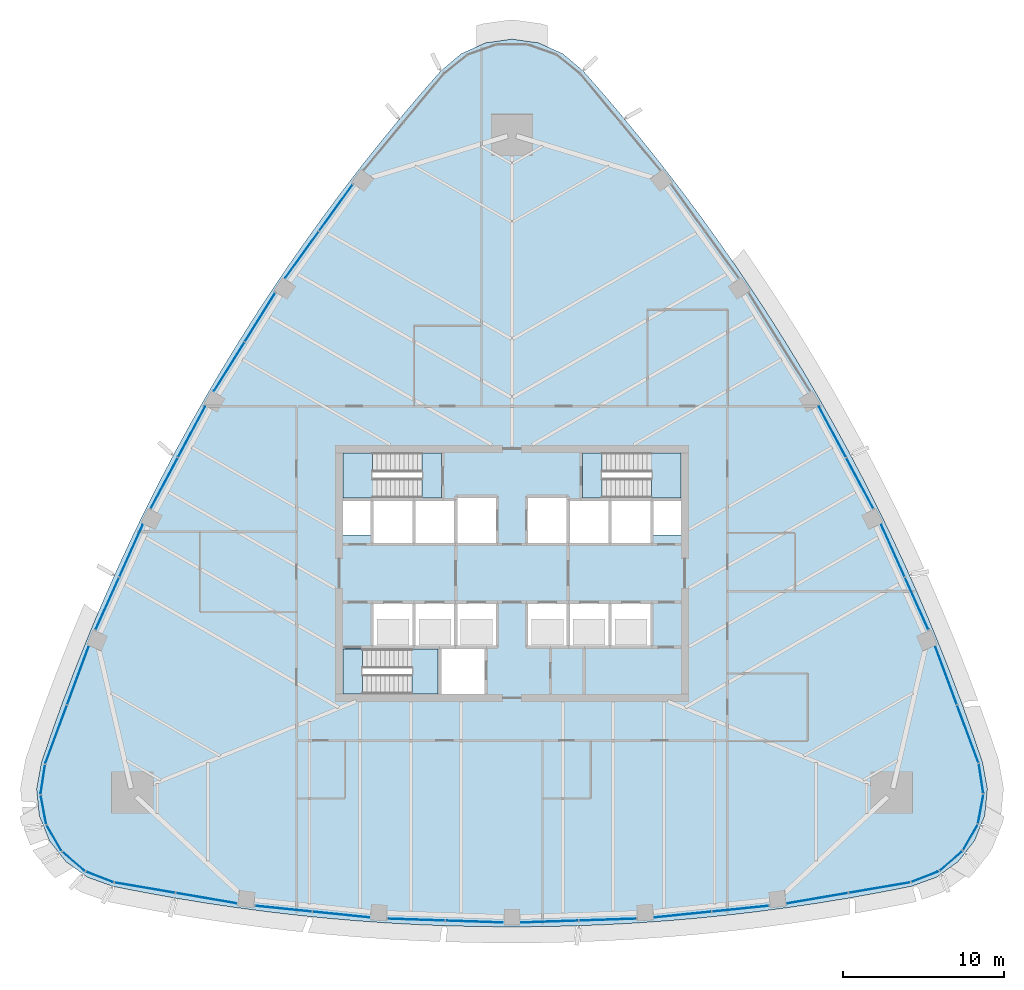
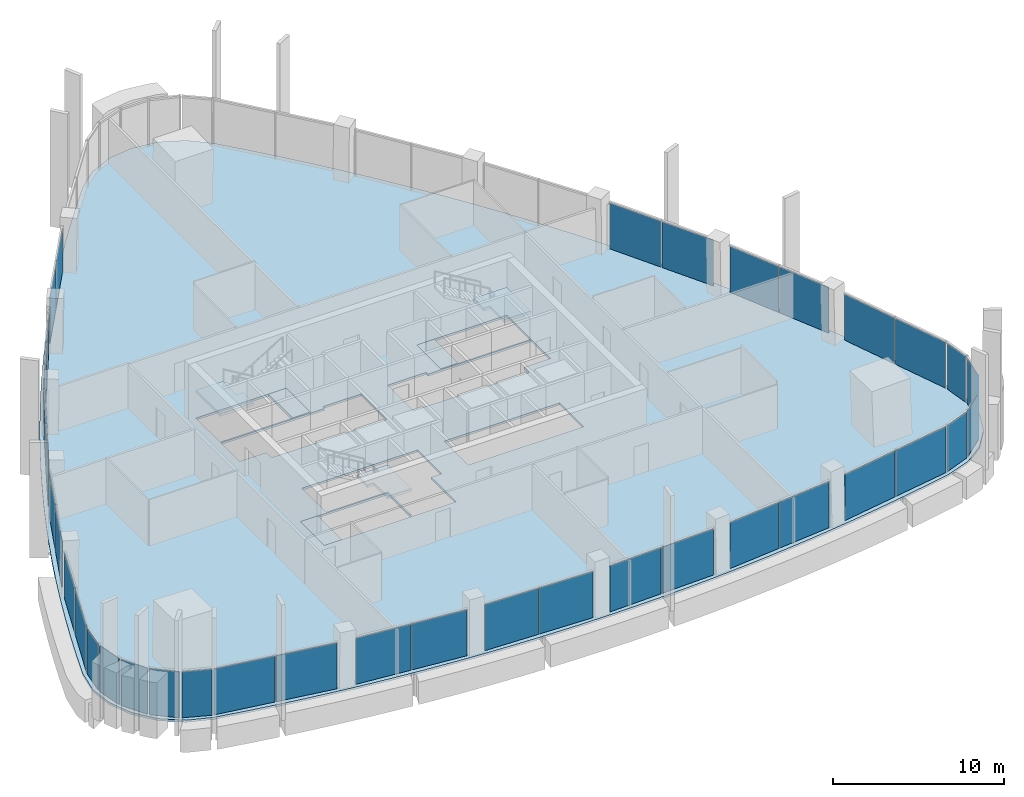
# One storey, part 8 of 19: 38 plates, 7 slabs, 27 elements without a shape of their own.
"""IFC4 building model written with IfcOpenShell, lengths in metres."""

from ifc_helpers import new_model, si_unit, direction, frame, origin, origin_2d, place, context, subcontext, project, spatial, polyline, rectangle, outline, extrude, material, layer, layer_set, type_object, element, aggregate, save


model = new_model("IFC4")

# Units and contexts
model_context = context("Model", 3, precision=1e-05, world=origin(), true_north=direction((0.0, 1.0)))
body_context = subcontext(model_context, "Body", "Model", "MODEL_VIEW")
ifc_project = project(units=[si_unit("LENGTHUNIT", "METRE"), si_unit("AREAUNIT", "SQUARE_METRE"), si_unit("VOLUMEUNIT", "CUBIC_METRE"), si_unit("PLANEANGLEUNIT", "RADIAN"), si_unit("MASSUNIT", "GRAM", prefix="KILO")], contexts=[model_context])

# Site, building, storey
site_placement = place(None, origin())
site = spatial("IfcSite", under=ifc_project, at=site_placement, CompositionType="ELEMENT")
building_placement = place(site_placement, origin())
building = spatial("IfcBuilding", under=site, at=building_placement, Name="Sierra Prisma Convention Tower", CompositionType="ELEMENT")
storey_placement = place(building_placement, frame((0.0, 0.0, 177.800048828125)))
storey = spatial("IfcBuildingStorey", under=building, at=storey_placement, Name="L39", CompositionType="ELEMENT", Elevation=177.800048828125)

# Curtain wall, plates
ifc_material_1 = material(Name="Aluminium and glass curtain wall", Category="aluminium")
ifc_layer_1 = layer(ifc_material_1, 0.179931640625)
ifc_layer_set_1 = layer_set([ifc_layer_1], Name="CW-1 Plain shaft curtain wall")
curtain_wall_type = type_object("IfcCurtainWallType", Name="CW-1 Plain shaft curtain wall", PredefinedType="NOTDEFINED", material=ifc_layer_set_1)
curtain_wall_1_placement = place(storey_placement, origin())
curtain_wall_1 = element("IfcCurtainWall", 1, at=curtain_wall_1_placement, inside=storey, type_object=curtain_wall_type, Name="CW-1 S1 L39", PredefinedType="NOTDEFINED")
ifc_material_2 = material(Name="Tinted glass bronze-grey IGU", Category="glass")
ifc_layer_2 = layer(ifc_material_2, 0.028076171875)
ifc_layer_set_2 = layer_set([ifc_layer_2], Name="CW-1 glass panel")
plate_type = type_object("IfcPlateType", Name="CW-1 glass panel", PredefinedType="CURTAIN_PANEL", material=ifc_layer_set_2)
plate_1_placement = place(storey_placement, frame((-22.83740234375, -19.553466796875, 0.0), z_axis=(0.0, 0.0, 1.0), x_axis=(0.985776762194, -0.16806003427, 0.0)))
plate_1 = element("IfcPlate", 2, at=plate_1_placement, type_object=plate_type, Name="CW-1 panel S1.1", PredefinedType="CURTAIN_PANEL", context=body_context, shape_type="SweptSolid", body=[
    extrude(rectangle(XDim=3.802734375, YDim=0.028076171875, at=origin_2d()), origin(), (0.0, 0.0, 1.0), 3.280029296875),
])
plate_2_placement = place(storey_placement, frame((-19.019775390625, -20.204345703125, 0.0), z_axis=(0.0, 0.0, 1.0), x_axis=(0.985776762194, -0.16806003427, 0.0)))
plate_2 = element("IfcPlate", 3, at=plate_2_placement, type_object=plate_type, Name="CW-1 panel S1.2", PredefinedType="CURTAIN_PANEL", context=body_context, shape_type="SweptSolid", body=[
    extrude(rectangle(XDim=3.802734375, YDim=0.028076171875, at=origin_2d()), origin(), (0.0, 0.0, 1.0), 3.280029296875),
])
aggregate(curtain_wall_1, [plate_1, plate_2])

curtain_wall_2_placement = place(storey_placement, origin())
curtain_wall_2 = element("IfcCurtainWall", 4, at=curtain_wall_2_placement, inside=storey, type_object=curtain_wall_type, Name="CW-1 S2 L39", PredefinedType="NOTDEFINED")
plate_3_placement = place(storey_placement, frame((-14.216064453125, -20.8603515625, 0.0), z_axis=(0.0, 0.0, 1.0), x_axis=(0.994871839121, -0.101143579749, 0.0)))
plate_3 = element("IfcPlate", 5, at=plate_3_placement, type_object=plate_type, Name="CW-1 panel S2.1", PredefinedType="CURTAIN_PANEL", context=body_context, shape_type="SweptSolid", body=[
    extrude(rectangle(XDim=3.530517578125, YDim=0.028076171875, at=origin_2d()), origin(), (0.0, 0.0, 1.0), 3.280029296875),
])
plate_4_placement = place(storey_placement, frame((-10.634033203125, -21.224365234375, 0.0), z_axis=(0.0, 0.0, 1.0), x_axis=(0.994871839121, -0.101143579749, 0.0)))
plate_4 = element("IfcPlate", 6, at=plate_4_placement, type_object=plate_type, Name="CW-1 panel S2.2", PredefinedType="CURTAIN_PANEL", context=body_context, shape_type="SweptSolid", body=[
    extrude(rectangle(XDim=3.530517578125, YDim=0.028076171875, at=origin_2d()), origin(), (0.0, 0.0, 1.0), 3.280029296875),
])
aggregate(curtain_wall_2, [plate_3, plate_4])

curtain_wall_3_placement = place(storey_placement, origin())
curtain_wall_3 = element("IfcCurtainWall", 7, at=curtain_wall_3_placement, inside=storey, type_object=curtain_wall_type, Name="CW-1 S3 L39", PredefinedType="NOTDEFINED")
plate_5_placement = place(storey_placement, frame((-5.956298828125, -21.540283203125, 0.0), z_axis=(0.0, 0.0, 1.0), x_axis=(0.999429770881, -0.033765856682, 0.0)))
plate_5 = element("IfcPlate", 8, at=plate_5_placement, type_object=plate_type, Name="CW-1 panel S3.1", PredefinedType="CURTAIN_PANEL", context=body_context, shape_type="SweptSolid", body=[
    extrude(rectangle(XDim=3.54638671875, YDim=0.028076171875, at=origin_2d()), origin(), (0.0, 0.0, 1.0), 3.280029296875),
])
plate_6_placement = place(storey_placement, frame((-2.341796875, -21.662353515625, 0.0), z_axis=(0.0, 0.0, 1.0), x_axis=(0.999429770881, -0.033765856682, 0.0)))
plate_6 = element("IfcPlate", 9, at=plate_6_placement, type_object=plate_type, Name="CW-1 panel S3.2", PredefinedType="CURTAIN_PANEL", context=body_context, shape_type="SweptSolid", body=[
    extrude(rectangle(XDim=3.54638671875, YDim=0.028076171875, at=origin_2d()), origin(), (0.0, 0.0, 1.0), 3.280029296875),
])
aggregate(curtain_wall_3, [plate_5, plate_6])

curtain_wall_4_placement = place(storey_placement, origin())
curtain_wall_4 = element("IfcCurtainWall", 10, at=curtain_wall_4_placement, inside=storey, type_object=curtain_wall_type, Name="CW-1 S4 L39", PredefinedType="NOTDEFINED")
plate_7_placement = place(storey_placement, frame((2.341796875, -21.662353515625, 0.0), z_axis=(0.0, 0.0, 1.0), x_axis=(0.999429770881, 0.033765856682, 0.0)))
plate_7 = element("IfcPlate", 11, at=plate_7_placement, type_object=plate_type, Name="CW-1 panel S4.1", PredefinedType="CURTAIN_PANEL", context=body_context, shape_type="SweptSolid", body=[
    extrude(rectangle(XDim=3.54638671875, YDim=0.028076171875, at=origin_2d()), origin(), (0.0, 0.0, 1.0), 3.280029296875),
])
plate_8_placement = place(storey_placement, frame((5.956298828125, -21.540283203125, 0.0), z_axis=(0.0, 0.0, 1.0), x_axis=(0.999429770881, 0.033765856682, 0.0)))
plate_8 = element("IfcPlate", 12, at=plate_8_placement, type_object=plate_type, Name="CW-1 panel S4.2", PredefinedType="CURTAIN_PANEL", context=body_context, shape_type="SweptSolid", body=[
    extrude(rectangle(XDim=3.54638671875, YDim=0.028076171875, at=origin_2d()), origin(), (0.0, 0.0, 1.0), 3.280029296875),
])
aggregate(curtain_wall_4, [plate_7, plate_8])

curtain_wall_5_placement = place(storey_placement, origin())
curtain_wall_5 = element("IfcCurtainWall", 13, at=curtain_wall_5_placement, inside=storey, type_object=curtain_wall_type, Name="CW-1 S5 L39", PredefinedType="NOTDEFINED")
plate_9_placement = place(storey_placement, frame((10.634033203125, -21.224365234375, 0.0), z_axis=(0.0, 0.0, 1.0), x_axis=(0.994871839121, 0.101143579749, 0.0)))
plate_9 = element("IfcPlate", 14, at=plate_9_placement, type_object=plate_type, Name="CW-1 panel S5.1", PredefinedType="CURTAIN_PANEL", context=body_context, shape_type="SweptSolid", body=[
    extrude(rectangle(XDim=3.530517578125, YDim=0.028076171875, at=origin_2d()), origin(), (0.0, 0.0, 1.0), 3.280029296875),
])
plate_10_placement = place(storey_placement, frame((14.216064453125, -20.8603515625, 0.0), z_axis=(0.0, 0.0, 1.0), x_axis=(0.994871839121, 0.101143579749, 0.0)))
plate_10 = element("IfcPlate", 15, at=plate_10_placement, type_object=plate_type, Name="CW-1 panel S5.2", PredefinedType="CURTAIN_PANEL", context=body_context, shape_type="SweptSolid", body=[
    extrude(rectangle(XDim=3.530517578125, YDim=0.028076171875, at=origin_2d()), origin(), (0.0, 0.0, 1.0), 3.280029296875),
])
aggregate(curtain_wall_5, [plate_9, plate_10])

curtain_wall_6_placement = place(storey_placement, origin())
curtain_wall_6 = element("IfcCurtainWall", 16, at=curtain_wall_6_placement, inside=storey, type_object=curtain_wall_type, Name="CW-1 S6 L39", PredefinedType="NOTDEFINED")
plate_11_placement = place(storey_placement, frame((19.019775390625, -20.204345703125, 0.0), z_axis=(0.0, 0.0, 1.0), x_axis=(0.985776762194, 0.16806003427, 0.0)))
plate_11 = element("IfcPlate", 17, at=plate_11_placement, type_object=plate_type, Name="CW-1 panel S6.1", PredefinedType="CURTAIN_PANEL", context=body_context, shape_type="SweptSolid", body=[
    extrude(rectangle(XDim=3.802734375, YDim=0.028076171875, at=origin_2d()), origin(), (0.0, 0.0, 1.0), 3.280029296875),
])
plate_12_placement = place(storey_placement, frame((22.83740234375, -19.553466796875, 0.0), z_axis=(0.0, 0.0, 1.0), x_axis=(0.985776762194, 0.16806003427, 0.0)))
plate_12 = element("IfcPlate", 18, at=plate_12_placement, type_object=plate_type, Name="CW-1 panel S6.2", PredefinedType="CURTAIN_PANEL", context=body_context, shape_type="SweptSolid", body=[
    extrude(rectangle(XDim=3.802734375, YDim=0.028076171875, at=origin_2d()), origin(), (0.0, 0.0, 1.0), 3.280029296875),
])
aggregate(curtain_wall_6, [plate_11, plate_12])

# Curtain wall, plate
curtain_wall_7_placement = place(storey_placement, origin())
curtain_wall_7 = element("IfcCurtainWall", 19, at=curtain_wall_7_placement, inside=storey, type_object=curtain_wall_type, Name="CW-1 SE1 L39", PredefinedType="NOTDEFINED")
plate_13_placement = place(storey_placement, frame((25.67236328125, -18.874755859375, 0.0), z_axis=(0.0, 0.0, 1.0), x_axis=(0.931767015829, 0.36305678373, 0.0)))
plate_13 = element("IfcPlate", 20, at=plate_13_placement, type_object=plate_type, Name="CW-1 panel SE1.1", PredefinedType="CURTAIN_PANEL", context=body_context, shape_type="SweptSolid", body=[
    extrude(rectangle(XDim=1.774169921875, YDim=0.028076171875, at=origin_2d()), origin(), (0.0, 0.0, 1.0), 3.280029296875),
])
aggregate(curtain_wall_7, [plate_13])

curtain_wall_8_placement = place(storey_placement, origin())
curtain_wall_8 = element("IfcCurtainWall", 21, at=curtain_wall_8_placement, inside=storey, type_object=curtain_wall_type, Name="CW-1 SE2 L39", PredefinedType="NOTDEFINED")
plate_14_placement = place(storey_placement, frame((27.290283203125, -17.90380859375, 0.0), z_axis=(0.0, 0.0, 1.0), x_axis=(0.758771082141, 0.651357386468, 0.0)))
plate_14 = element("IfcPlate", 22, at=plate_14_placement, type_object=plate_type, Name="CW-1 panel SE2.1", PredefinedType="CURTAIN_PANEL", context=body_context, shape_type="SweptSolid", body=[
    extrude(rectangle(XDim=1.774169921875, YDim=0.028076171875, at=origin_2d()), origin(), (0.0, 0.0, 1.0), 3.280029296875),
])
aggregate(curtain_wall_8, [plate_14])

curtain_wall_9_placement = place(storey_placement, origin())
curtain_wall_9 = element("IfcCurtainWall", 23, at=curtain_wall_9_placement, inside=storey, type_object=curtain_wall_type, Name="CW-1 SE3 L39", PredefinedType="NOTDEFINED")
plate_15_placement = place(storey_placement, frame((28.4951171875, -16.45166015625, 0.0), z_axis=(0.0, 0.0, 1.0), x_axis=(0.5, 0.866025403784, 0.0)))
plate_15 = element("IfcPlate", 24, at=plate_15_placement, type_object=plate_type, Name="CW-1 panel SE3.1", PredefinedType="CURTAIN_PANEL", context=body_context, shape_type="SweptSolid", body=[
    extrude(rectangle(XDim=1.774169921875, YDim=0.028076171875, at=origin_2d()), origin(), (0.0, 0.0, 1.0), 3.280029296875),
])
aggregate(curtain_wall_9, [plate_15])

curtain_wall_10_placement = place(storey_placement, origin())
curtain_wall_10 = element("IfcCurtainWall", 25, at=curtain_wall_10_placement, inside=storey, type_object=curtain_wall_type, Name="CW-1 SE4 L39", PredefinedType="NOTDEFINED")
plate_16_placement = place(storey_placement, frame((29.150390625, -14.682373046875, 0.0), z_axis=(0.0, 0.0, 1.0), x_axis=(0.184706502553, 0.982793726025, 0.0)))
plate_16 = element("IfcPlate", 26, at=plate_16_placement, type_object=plate_type, Name="CW-1 panel SE4.1", PredefinedType="CURTAIN_PANEL", context=body_context, shape_type="SweptSolid", body=[
    extrude(rectangle(XDim=1.774169921875, YDim=0.028076171875, at=origin_2d()), origin(), (0.0, 0.0, 1.0), 3.280029296875),
])
aggregate(curtain_wall_10, [plate_16])

curtain_wall_11_placement = place(storey_placement, origin())
curtain_wall_11 = element("IfcCurtainWall", 27, at=curtain_wall_11_placement, inside=storey, type_object=curtain_wall_type, Name="CW-1 SE5 L39", PredefinedType="NOTDEFINED")
plate_17_placement = place(storey_placement, frame((29.18212890625, -12.795654296875, 0.0), z_axis=(0.0, 0.0, 1.0), x_axis=(-0.151467110188, 0.988462297982, 0.0)))
plate_17 = element("IfcPlate", 28, at=plate_17_placement, type_object=plate_type, Name="CW-1 panel SE5.1", PredefinedType="CURTAIN_PANEL", context=body_context, shape_type="SweptSolid", body=[
    extrude(rectangle(XDim=1.774169921875, YDim=0.028076171875, at=origin_2d()), origin(), (0.0, 0.0, 1.0), 3.280029296875),
])
aggregate(curtain_wall_11, [plate_17])

# Curtain wall, plates
curtain_wall_12_placement = place(storey_placement, origin())
curtain_wall_12 = element("IfcCurtainWall", 29, at=curtain_wall_12_placement, inside=storey, type_object=curtain_wall_type, Name="CW-1 NE1 L39", PredefinedType="NOTDEFINED")
plate_18_placement = place(storey_placement, frame((28.3525390625, -10.0009765625, 0.0), z_axis=(0.0, 0.0, 1.0), x_axis=(-0.347344122058, 0.937737735655, 0.0)))
plate_18 = element("IfcPlate", 30, at=plate_18_placement, type_object=plate_type, Name="CW-1 panel NE1.1", PredefinedType="CURTAIN_PANEL", context=body_context, shape_type="SweptSolid", body=[
    extrude(rectangle(XDim=3.802734375, YDim=0.028076171875, at=origin_2d()), origin(), (0.0, 0.0, 1.0), 3.280029296875),
])
plate_19_placement = place(storey_placement, frame((27.00732421875, -6.369384765625, 0.0), z_axis=(0.0, 0.0, 1.0), x_axis=(-0.347344122058, 0.937737735655, 0.0)))
plate_19 = element("IfcPlate", 31, at=plate_19_placement, type_object=plate_type, Name="CW-1 panel NE1.2", PredefinedType="CURTAIN_PANEL", context=body_context, shape_type="SweptSolid", body=[
    extrude(rectangle(XDim=3.802734375, YDim=0.028076171875, at=origin_2d()), origin(), (0.0, 0.0, 1.0), 3.280029296875),
])
aggregate(curtain_wall_12, [plate_18, plate_19])

curtain_wall_13_placement = place(storey_placement, origin())
curtain_wall_13 = element("IfcCurtainWall", 32, at=curtain_wall_13_placement, inside=storey, type_object=curtain_wall_type, Name="CW-1 NE2 L39", PredefinedType="NOTDEFINED")
plate_20_placement = place(storey_placement, frame((25.173583984375, -1.88134765625, 0.0), z_axis=(0.0, 0.0, 1.0), x_axis=(-0.409843010068, 0.912156076063, 0.0)))
plate_20 = element("IfcPlate", 33, at=plate_20_placement, type_object=plate_type, Name="CW-1 panel NE2.1", PredefinedType="CURTAIN_PANEL", context=body_context, shape_type="SweptSolid", body=[
    extrude(rectangle(XDim=3.530517578125, YDim=0.028076171875, at=origin_2d()), origin(), (0.0, 0.0, 1.0), 3.280029296875),
])
plate_21_placement = place(storey_placement, frame((23.697998046875, 1.40283203125, 0.0), z_axis=(0.0, 0.0, 1.0), x_axis=(-0.409843010068, 0.912156076063, 0.0)))
plate_21 = element("IfcPlate", 34, at=plate_21_placement, type_object=plate_type, Name="CW-1 panel NE2.2", PredefinedType="CURTAIN_PANEL", context=body_context, shape_type="SweptSolid", body=[
    extrude(rectangle(XDim=3.530517578125, YDim=0.028076171875, at=origin_2d()), origin(), (0.0, 0.0, 1.0), 3.280029296875),
])
aggregate(curtain_wall_13, [plate_20, plate_21])

curtain_wall_14_placement = place(storey_placement, origin())
curtain_wall_14 = element("IfcCurtainWall", 35, at=curtain_wall_14_placement, inside=storey, type_object=curtain_wall_type, Name="CW-1 NE3 L39", PredefinedType="NOTDEFINED")
plate_22_placement = place(storey_placement, frame((21.632568359375, 5.611572265625, 0.0), z_axis=(0.0, 0.0, 1.0), x_axis=(-0.470472795773, 0.882414499222, 0.0)))
plate_22 = element("IfcPlate", 36, at=plate_22_placement, type_object=plate_type, Name="CW-1 panel NE3.1", PredefinedType="CURTAIN_PANEL", context=body_context, shape_type="SweptSolid", body=[
    extrude(rectangle(XDim=3.546630859375, YDim=0.028076171875, at=origin_2d()), origin(), (0.0, 0.0, 1.0), 3.280029296875),
])
plate_23_placement = place(storey_placement, frame((19.93115234375, 8.802978515625, 0.0), z_axis=(0.0, 0.0, 1.0), x_axis=(-0.470472795773, 0.882414499222, 0.0)))
plate_23 = element("IfcPlate", 37, at=plate_23_placement, type_object=plate_type, Name="CW-1 panel NE3.2", PredefinedType="CURTAIN_PANEL", context=body_context, shape_type="SweptSolid", body=[
    extrude(rectangle(XDim=3.546630859375, YDim=0.028076171875, at=origin_2d()), origin(), (0.0, 0.0, 1.0), 3.280029296875),
])
aggregate(curtain_wall_14, [plate_22, plate_23])

curtain_wall_15_placement = place(storey_placement, origin())
curtain_wall_15 = element("IfcCurtainWall", 38, at=curtain_wall_15_placement, inside=storey, type_object=curtain_wall_type, Name="CW-1 NW2 L39", PredefinedType="NOTDEFINED")
plate_24_placement = place(storey_placement, frame((-10.95751953125, 22.741455078125, 0.0), z_axis=(0.0, 0.0, 1.0), x_axis=(-0.585028829053, -0.811012496314, 0.0)))
plate_24 = element("IfcPlate", 39, at=plate_24_placement, type_object=plate_type, Name="CW-1 panel NW2.1", PredefinedType="CURTAIN_PANEL", context=body_context, shape_type="SweptSolid", body=[
    extrude(rectangle(XDim=3.530517578125, YDim=0.028076171875, at=origin_2d()), origin(), (0.0, 0.0, 1.0), 3.280029296875),
])
plate_25_placement = place(storey_placement, frame((-13.06396484375, 19.821533203125, 0.0), z_axis=(0.0, 0.0, 1.0), x_axis=(-0.585028829053, -0.811012496314, 0.0)))
plate_25 = element("IfcPlate", 40, at=plate_25_placement, type_object=plate_type, Name="CW-1 panel NW2.2", PredefinedType="CURTAIN_PANEL", context=body_context, shape_type="SweptSolid", body=[
    extrude(rectangle(XDim=3.530517578125, YDim=0.028076171875, at=origin_2d()), origin(), (0.0, 0.0, 1.0), 3.280029296875),
])
aggregate(curtain_wall_15, [plate_24, plate_25])

curtain_wall_16_placement = place(storey_placement, origin())
curtain_wall_16 = element("IfcCurtainWall", 41, at=curtain_wall_16_placement, inside=storey, type_object=curtain_wall_type, Name="CW-1 NW3 L39", PredefinedType="NOTDEFINED")
plate_26_placement = place(storey_placement, frame((-15.67626953125, 15.928466796875, 0.0), z_axis=(0.0, 0.0, 1.0), x_axis=(-0.528956975108, -0.84864864254, 0.0)))
plate_26 = element("IfcPlate", 42, at=plate_26_placement, type_object=plate_type, Name="CW-1 panel NW3.1", PredefinedType="CURTAIN_PANEL", context=body_context, shape_type="SweptSolid", body=[
    extrude(rectangle(XDim=3.54638671875, YDim=0.028076171875, at=origin_2d()), origin(), (0.0, 0.0, 1.0), 3.280029296875),
])
plate_27_placement = place(storey_placement, frame((-17.589111328125, 12.859375, 0.0), z_axis=(0.0, 0.0, 1.0), x_axis=(-0.528956975108, -0.84864864254, 0.0)))
plate_27 = element("IfcPlate", 43, at=plate_27_placement, type_object=plate_type, Name="CW-1 panel NW3.2", PredefinedType="CURTAIN_PANEL", context=body_context, shape_type="SweptSolid", body=[
    extrude(rectangle(XDim=3.54638671875, YDim=0.028076171875, at=origin_2d()), origin(), (0.0, 0.0, 1.0), 3.280029296875),
])
aggregate(curtain_wall_16, [plate_26, plate_27])

curtain_wall_17_placement = place(storey_placement, origin())
curtain_wall_17 = element("IfcCurtainWall", 44, at=curtain_wall_17_placement, inside=storey, type_object=curtain_wall_type, Name="CW-1 NW4 L39", PredefinedType="NOTDEFINED")
plate_28_placement = place(storey_placement, frame((-19.93115234375, 8.802978515625, 0.0), z_axis=(0.0, 0.0, 1.0), x_axis=(-0.470472795773, -0.882414499222, 0.0)))
plate_28 = element("IfcPlate", 45, at=plate_28_placement, type_object=plate_type, Name="CW-1 panel NW4.1", PredefinedType="CURTAIN_PANEL", context=body_context, shape_type="SweptSolid", body=[
    extrude(rectangle(XDim=3.54638671875, YDim=0.028076171875, at=origin_2d()), origin(), (0.0, 0.0, 1.0), 3.280029296875),
])
plate_29_placement = place(storey_placement, frame((-21.632568359375, 5.61181640625, 0.0), z_axis=(0.0, 0.0, 1.0), x_axis=(-0.470472795773, -0.882414499222, 0.0)))
plate_29 = element("IfcPlate", 46, at=plate_29_placement, type_object=plate_type, Name="CW-1 panel NW4.2", PredefinedType="CURTAIN_PANEL", context=body_context, shape_type="SweptSolid", body=[
    extrude(rectangle(XDim=3.54638671875, YDim=0.028076171875, at=origin_2d()), origin(), (0.0, 0.0, 1.0), 3.280029296875),
])
aggregate(curtain_wall_17, [plate_28, plate_29])

curtain_wall_18_placement = place(storey_placement, origin())
curtain_wall_18 = element("IfcCurtainWall", 47, at=curtain_wall_18_placement, inside=storey, type_object=curtain_wall_type, Name="CW-1 NW5 L39", PredefinedType="NOTDEFINED")
plate_30_placement = place(storey_placement, frame((-23.697998046875, 1.40283203125, 0.0), z_axis=(0.0, 0.0, 1.0), x_axis=(-0.409843010068, -0.912156076063, 0.0)))
plate_30 = element("IfcPlate", 48, at=plate_30_placement, type_object=plate_type, Name="CW-1 panel NW5.1", PredefinedType="CURTAIN_PANEL", context=body_context, shape_type="SweptSolid", body=[
    extrude(rectangle(XDim=3.530517578125, YDim=0.028076171875, at=origin_2d()), origin(), (0.0, 0.0, 1.0), 3.280029296875),
])
plate_31_placement = place(storey_placement, frame((-25.173583984375, -1.88134765625, 0.0), z_axis=(0.0, 0.0, 1.0), x_axis=(-0.409843010068, -0.912156076063, 0.0)))
plate_31 = element("IfcPlate", 49, at=plate_31_placement, type_object=plate_type, Name="CW-1 panel NW5.2", PredefinedType="CURTAIN_PANEL", context=body_context, shape_type="SweptSolid", body=[
    extrude(rectangle(XDim=3.530517578125, YDim=0.028076171875, at=origin_2d()), origin(), (0.0, 0.0, 1.0), 3.280029296875),
])
aggregate(curtain_wall_18, [plate_30, plate_31])

curtain_wall_19_placement = place(storey_placement, origin())
curtain_wall_19 = element("IfcCurtainWall", 50, at=curtain_wall_19_placement, inside=storey, type_object=curtain_wall_type, Name="CW-1 NW6 L39", PredefinedType="NOTDEFINED")
plate_32_placement = place(storey_placement, frame((-27.00732421875, -6.369384765625, 0.0), z_axis=(0.0, 0.0, 1.0), x_axis=(-0.347344122058, -0.937737735655, 0.0)))
plate_32 = element("IfcPlate", 51, at=plate_32_placement, type_object=plate_type, Name="CW-1 panel NW6.1", PredefinedType="CURTAIN_PANEL", context=body_context, shape_type="SweptSolid", body=[
    extrude(rectangle(XDim=3.802734375, YDim=0.028076171875, at=origin_2d()), origin(), (0.0, 0.0, 1.0), 3.280029296875),
])
plate_33_placement = place(storey_placement, frame((-28.3525390625, -10.0009765625, 0.0), z_axis=(0.0, 0.0, 1.0), x_axis=(-0.347344122058, -0.937737735655, 0.0)))
plate_33 = element("IfcPlate", 52, at=plate_33_placement, type_object=plate_type, Name="CW-1 panel NW6.2", PredefinedType="CURTAIN_PANEL", context=body_context, shape_type="SweptSolid", body=[
    extrude(rectangle(XDim=3.802734375, YDim=0.028076171875, at=origin_2d()), origin(), (0.0, 0.0, 1.0), 3.280029296875),
])
aggregate(curtain_wall_19, [plate_32, plate_33])

# Curtain wall, plate
curtain_wall_20_placement = place(storey_placement, origin())
curtain_wall_20 = element("IfcCurtainWall", 53, at=curtain_wall_20_placement, inside=storey, type_object=curtain_wall_type, Name="CW-1 SW1 L39", PredefinedType="NOTDEFINED")
plate_34_placement = place(storey_placement, frame((-29.18212890625, -12.795654296875, 0.0), z_axis=(0.0, 0.0, 1.0), x_axis=(-0.151467110188, -0.988462297982, 0.0)))
plate_34 = element("IfcPlate", 54, at=plate_34_placement, type_object=plate_type, Name="CW-1 panel SW1.1", PredefinedType="CURTAIN_PANEL", context=body_context, shape_type="SweptSolid", body=[
    extrude(rectangle(XDim=1.774169921875, YDim=0.028076171875, at=origin_2d()), origin(), (0.0, 0.0, 1.0), 3.280029296875),
])
aggregate(curtain_wall_20, [plate_34])

curtain_wall_21_placement = place(storey_placement, origin())
curtain_wall_21 = element("IfcCurtainWall", 55, at=curtain_wall_21_placement, inside=storey, type_object=curtain_wall_type, Name="CW-1 SW2 L39", PredefinedType="NOTDEFINED")
plate_35_placement = place(storey_placement, frame((-29.150390625, -14.682373046875, 0.0), z_axis=(0.0, 0.0, 1.0), x_axis=(0.184706502553, -0.982793726025, 0.0)))
plate_35 = element("IfcPlate", 56, at=plate_35_placement, type_object=plate_type, Name="CW-1 panel SW2.1", PredefinedType="CURTAIN_PANEL", context=body_context, shape_type="SweptSolid", body=[
    extrude(rectangle(XDim=1.774169921875, YDim=0.028076171875, at=origin_2d()), origin(), (0.0, 0.0, 1.0), 3.280029296875),
])
aggregate(curtain_wall_21, [plate_35])

curtain_wall_22_placement = place(storey_placement, origin())
curtain_wall_22 = element("IfcCurtainWall", 57, at=curtain_wall_22_placement, inside=storey, type_object=curtain_wall_type, Name="CW-1 SW3 L39", PredefinedType="NOTDEFINED")
plate_36_placement = place(storey_placement, frame((-28.4951171875, -16.45166015625, 0.0), z_axis=(0.0, 0.0, 1.0), x_axis=(0.5, -0.866025403784, 0.0)))
plate_36 = element("IfcPlate", 58, at=plate_36_placement, type_object=plate_type, Name="CW-1 panel SW3.1", PredefinedType="CURTAIN_PANEL", context=body_context, shape_type="SweptSolid", body=[
    extrude(rectangle(XDim=1.774169921875, YDim=0.028076171875, at=origin_2d()), origin(), (0.0, 0.0, 1.0), 3.280029296875),
])
aggregate(curtain_wall_22, [plate_36])

curtain_wall_23_placement = place(storey_placement, origin())
curtain_wall_23 = element("IfcCurtainWall", 59, at=curtain_wall_23_placement, inside=storey, type_object=curtain_wall_type, Name="CW-1 SW4 L39", PredefinedType="NOTDEFINED")
plate_37_placement = place(storey_placement, frame((-27.290283203125, -17.90380859375, 0.0), z_axis=(0.0, 0.0, 1.0), x_axis=(0.758771082141, -0.651357386468, 0.0)))
plate_37 = element("IfcPlate", 60, at=plate_37_placement, type_object=plate_type, Name="CW-1 panel SW4.1", PredefinedType="CURTAIN_PANEL", context=body_context, shape_type="SweptSolid", body=[
    extrude(rectangle(XDim=1.774169921875, YDim=0.028076171875, at=origin_2d()), origin(), (0.0, 0.0, 1.0), 3.280029296875),
])
aggregate(curtain_wall_23, [plate_37])

curtain_wall_24_placement = place(storey_placement, origin())
curtain_wall_24 = element("IfcCurtainWall", 61, at=curtain_wall_24_placement, inside=storey, type_object=curtain_wall_type, Name="CW-1 SW5 L39", PredefinedType="NOTDEFINED")
plate_38_placement = place(storey_placement, frame((-25.67236328125, -18.874755859375, 0.0), z_axis=(0.0, 0.0, 1.0), x_axis=(0.931767015829, -0.36305678373, 0.0)))
plate_38 = element("IfcPlate", 62, at=plate_38_placement, type_object=plate_type, Name="CW-1 panel SW5.1", PredefinedType="CURTAIN_PANEL", context=body_context, shape_type="SweptSolid", body=[
    extrude(rectangle(XDim=1.774169921875, YDim=0.028076171875, at=origin_2d()), origin(), (0.0, 0.0, 1.0), 3.280029296875),
])
aggregate(curtain_wall_24, [plate_38])

# Slab
ifc_material_3 = material(Name="Concrete C35/45", Category="concrete")
ifc_layer_3 = layer(ifc_material_3, 0.14990234375)
ifc_layer_set_3 = layer_set([ifc_layer_3], Name="Composite floor slab 150")
slab_type_1 = type_object("IfcSlabType", Name="Composite floor slab 150", PredefinedType="FLOOR", material=ifc_layer_set_3)
slab_1_placement = place(storey_placement, frame((0.0, 0.0, -0.150146484375)))
element("IfcSlab", 63, at=slab_1_placement, inside=storey, type_object=slab_type_1, Name="Floor slab L39 floor", PredefinedType="FLOOR", context=body_context, shape_type="SweptSolid", body=[
    extrude(outline(polyline([(-24.8310546875, -19.467041015625), (-22.9443359375, -19.83935546875), (-21.0517578125, -20.18212890625), (-19.154296875, -20.49560546875), (-17.252197265625, -20.779296875), (-15.345947265625, -21.033447265625), (-13.435791015625, -21.2578125), (-11.5224609375, -21.4521484375), (-9.6064453125, -21.616943359375), (-7.68798828125, -21.751708984375), (-5.767578125, -21.8564453125), (-3.845703125, -21.931396484375), (-1.923095703125, -21.976318359375), (0.0, -21.991455078125), (1.923095703125, -21.976318359375), (3.845703125, -21.931396484375), (5.767578125, -21.8564453125), (7.68798828125, -21.751708984375), (9.6064453125, -21.616943359375), (11.5224609375, -21.4521484375), (13.435791015625, -21.2578125), (15.345947265625, -21.033447265625), (17.252197265625, -20.779296875), (19.154296875, -20.49560546875), (21.0517578125, -20.18212890625), (22.9443359375, -19.83935546875), (24.8310546875, -19.467041015625), (26.401123046875, -18.905517578125), (27.753662109375, -17.929931640625), (28.78173828125, -16.6171875), (29.404541015625, -15.0703125), (29.5732421875, -13.411376953125), (29.2744140625, -11.770751953125), (28.653564453125, -9.95068359375), (28.004150390625, -8.140380859375), (27.326904296875, -6.34033203125), (26.62158203125, -4.55126953125), (25.888427734375, -2.773193359375), (25.127685546875, -1.0068359375), (24.33935546875, 0.747314453125), (23.52392578125, 2.489013671875), (22.681396484375, 4.218017578125), (21.81201171875, 5.933349609375), (20.916015625, 7.63525390625), (19.99365234375, 9.32275390625), (19.045166015625, 10.99560546875), (18.070556640625, 12.65380859375), (17.0703125, 14.29638671875), (16.044677734375, 15.923095703125), (14.99365234375, 17.53369140625), (13.917724609375, 19.127685546875), (12.81689453125, 20.704833984375), (11.69189453125, 22.2646484375), (10.54248046875, 23.806640625), (9.369384765625, 25.33056640625), (8.172607421875, 26.8359375), (6.952392578125, 28.322509765625), (5.709228515625, 29.7900390625), (4.443359375, 31.23779296875), (3.172119140625, 32.31689453125), (1.651123046875, 33.000244140625), (0.0, 33.234375), (-1.651123046875, 33.000244140625), (-3.172119140625, 32.31689453125), (-4.443359375, 31.23779296875), (-5.709228515625, 29.7900390625), (-6.952392578125, 28.322509765625), (-8.172607421875, 26.8359375), (-9.369384765625, 25.33056640625), (-10.54248046875, 23.806640625), (-11.69189453125, 22.2646484375), (-12.81689453125, 20.704833984375), (-13.917724609375, 19.127685546875), (-14.99365234375, 17.53369140625), (-16.044677734375, 15.923095703125), (-17.0703125, 14.29638671875), (-18.070556640625, 12.65380859375), (-19.045166015625, 10.99560546875), (-19.99365234375, 9.32275390625), (-20.916015625, 7.63525390625), (-21.81201171875, 5.933349609375), (-22.681396484375, 4.218017578125), (-23.52392578125, 2.489013671875), (-24.33935546875, 0.747314453125), (-25.127685546875, -1.0068359375), (-25.888427734375, -2.773193359375), (-26.62158203125, -4.55126953125), (-27.326904296875, -6.34033203125), (-28.004150390625, -8.140380859375), (-28.653564453125, -9.95068359375), (-29.2744140625, -11.770751953125), (-29.5732421875, -13.411376953125), (-29.404541015625, -15.0703125), (-28.78173828125, -16.6171875), (-27.753662109375, -17.929931640625), (-26.401123046875, -18.905517578125), (-24.8310546875, -19.467041015625)]), holes=[polyline([(-4.60009765625, -7.5), (-10.5, -7.5), (-10.5, -4.699951171875), (-4.60009765625, -4.699951171875), (-4.60009765625, -7.5)]), polyline([(-8.699951171875, -4.60009765625), (-8.699951171875, -1.800048828125), (-6.10009765625, -1.800048828125), (-3.5, -1.800048828125), (-0.89990234375, -1.800048828125), (-0.89990234375, -4.60009765625), (-1.60009765625, -4.60009765625), (-1.60009765625, -7.5), (-4.5, -7.5), (-4.5, -4.60009765625), (-6.10009765625, -4.60009765625), (-8.699951171875, -4.60009765625)]), polyline([(-10.5, 4.60009765625), (-8.699951171875, 4.60009765625), (-6.10009765625, 4.60009765625), (-3.5, 4.60009765625), (-3.5, 4.800048828125), (-0.89990234375, 4.800048828125), (-0.89990234375, 1.800048828125), (-3.5, 1.800048828125), (-6.10009765625, 1.800048828125), (-8.699951171875, 1.800048828125), (-8.699951171875, 2.39990234375), (-10.5, 2.39990234375), (-10.5, 4.60009765625)]), polyline([(-10.5, 4.699951171875), (-10.5, 7.5), (-4.39990234375, 7.5), (-4.39990234375, 4.699951171875), (-10.5, 4.699951171875)]), polyline([(6.10009765625, -1.800048828125), (8.699951171875, -1.800048828125), (8.699951171875, -4.60009765625), (6.10009765625, -4.60009765625), (3.5, -4.60009765625), (0.89990234375, -4.60009765625), (0.89990234375, -1.800048828125), (3.5, -1.800048828125), (6.10009765625, -1.800048828125)]), polyline([(8.699951171875, 4.60009765625), (10.5, 4.60009765625), (10.5, 2.39990234375), (8.699951171875, 2.39990234375), (8.699951171875, 1.800048828125), (6.10009765625, 1.800048828125), (3.5, 1.800048828125), (0.89990234375, 1.800048828125), (0.89990234375, 4.800048828125), (3.5, 4.800048828125), (3.5, 4.60009765625), (6.10009765625, 4.60009765625), (8.699951171875, 4.60009765625)]), polyline([(4.39990234375, 4.699951171875), (4.39990234375, 7.5), (10.5, 7.5), (10.5, 4.699951171875), (4.39990234375, 4.699951171875)])]), origin(), (0.0, 0.0, 1.0), 0.150146484375),
])

# Stair, slab
ifc_material_4 = material(Name="Concrete C30/37", Category="concrete")
stair_type = type_object("IfcStairType", Name="Stair dog-leg 1200 RC", PredefinedType="HALF_TURN_STAIR", material=ifc_material_4)
stair_1_placement = place(storey_placement, origin())
stair_1 = element("IfcStair", 64, at=stair_1_placement, inside=storey, type_object=stair_type, Name="L39 S1", PredefinedType="HALF_TURN_STAIR")
ifc_material_5 = material(Name="Concrete C35/45", Category="concrete")
ifc_layer_4 = layer(ifc_material_5, 0.199951171875)
ifc_layer_set_4 = layer_set([ifc_layer_4], Name="Stair landing slab")
slab_type_2 = type_object("IfcSlabType", Name="Stair landing slab", PredefinedType="LANDING", material=ifc_layer_set_4)
slab_2_placement = place(storey_placement, frame((0.0, 0.0, 1.800048828125)))
slab_2 = element("IfcSlab", 65, at=slab_2_placement, type_object=slab_type_2, Name="S1 landing 1", PredefinedType="LANDING", context=body_context, shape_type="SweptSolid", body=[
    extrude(outline(polyline([(-4.60009765625, -4.699951171875), (-4.60009765625, -7.5), (-6.221923828125, -7.5), (-6.221923828125, -5.89990234375), (-6.669921875, -5.89990234375), (-6.669921875, -4.699951171875), (-4.60009765625, -4.699951171875)])), origin(), (0.0, 0.0, 1.0), 0.199951171875),
])
aggregate(stair_1, [slab_2])

# Slab
slab_3_placement = place(storey_placement, frame((0.0, 0.0, -0.199951171875)))
element("IfcSlab", 66, at=slab_3_placement, inside=storey, type_object=slab_type_2, Name="S1 floor landing L39", PredefinedType="LANDING", context=body_context, shape_type="SweptSolid", body=[
    extrude(outline(polyline([(-10.5, -7.5), (-9.298095703125, -7.5), (-9.298095703125, -4.699951171875), (-10.5, -4.699951171875), (-10.5, -7.5)])), origin(), (0.0, 0.0, 1.0), 0.199951171875),
])

# Stair, slab
stair_2_placement = place(storey_placement, origin())
stair_2 = element("IfcStair", 67, at=stair_2_placement, inside=storey, type_object=stair_type, Name="L39 S3", PredefinedType="HALF_TURN_STAIR")
slab_4_placement = place(storey_placement, frame((0.0, 0.0, 1.800048828125)))
slab_4 = element("IfcSlab", 68, at=slab_4_placement, type_object=slab_type_2, Name="S3 landing 1", PredefinedType="LANDING", context=body_context, shape_type="SweptSolid", body=[
    extrude(outline(polyline([(-8.22998046875, 5.89990234375), (-8.22998046875, 4.699951171875), (-10.5, 4.699951171875), (-10.5, 7.5), (-8.677978515625, 7.5), (-8.677978515625, 5.89990234375), (-8.22998046875, 5.89990234375)])), origin(), (0.0, 0.0, 1.0), 0.199951171875),
])
aggregate(stair_2, [slab_4])

# Slab
slab_5_placement = place(storey_placement, frame((0.0, 0.0, -0.199951171875)))
element("IfcSlab", 69, at=slab_5_placement, inside=storey, type_object=slab_type_2, Name="S3 floor landing L39", PredefinedType="LANDING", context=body_context, shape_type="SweptSolid", body=[
    extrude(outline(polyline([(-4.39990234375, 7.5), (-5.60205078125, 7.5), (-5.60205078125, 4.699951171875), (-4.39990234375, 4.699951171875), (-4.39990234375, 7.5)])), origin(), (0.0, 0.0, 1.0), 0.199951171875),
])

# Stair, slab
stair_3_placement = place(storey_placement, origin())
stair_3 = element("IfcStair", 70, at=stair_3_placement, inside=storey, type_object=stair_type, Name="L39 S4", PredefinedType="HALF_TURN_STAIR")
slab_6_placement = place(storey_placement, frame((0.0, 0.0, 1.800048828125)))
slab_6 = element("IfcSlab", 71, at=slab_6_placement, type_object=slab_type_2, Name="S4 landing 1", PredefinedType="LANDING", context=body_context, shape_type="SweptSolid", body=[
    extrude(outline(polyline([(10.5, 7.5), (10.5, 4.699951171875), (8.677978515625, 4.699951171875), (8.677978515625, 6.300048828125), (8.22998046875, 6.300048828125), (8.22998046875, 7.5), (10.5, 7.5)])), origin(), (0.0, 0.0, 1.0), 0.199951171875),
])
aggregate(stair_3, [slab_6])

# Slab
slab_7_placement = place(storey_placement, frame((0.0, 0.0, -0.199951171875)))
element("IfcSlab", 72, at=slab_7_placement, inside=storey, type_object=slab_type_2, Name="S4 floor landing L39", PredefinedType="LANDING", context=body_context, shape_type="SweptSolid", body=[
    extrude(outline(polyline([(4.39990234375, 4.699951171875), (5.60205078125, 4.699951171875), (5.60205078125, 7.5), (4.39990234375, 7.5), (4.39990234375, 4.699951171875)])), origin(), (0.0, 0.0, 1.0), 0.199951171875),
])

save(model, "model.ifc")
